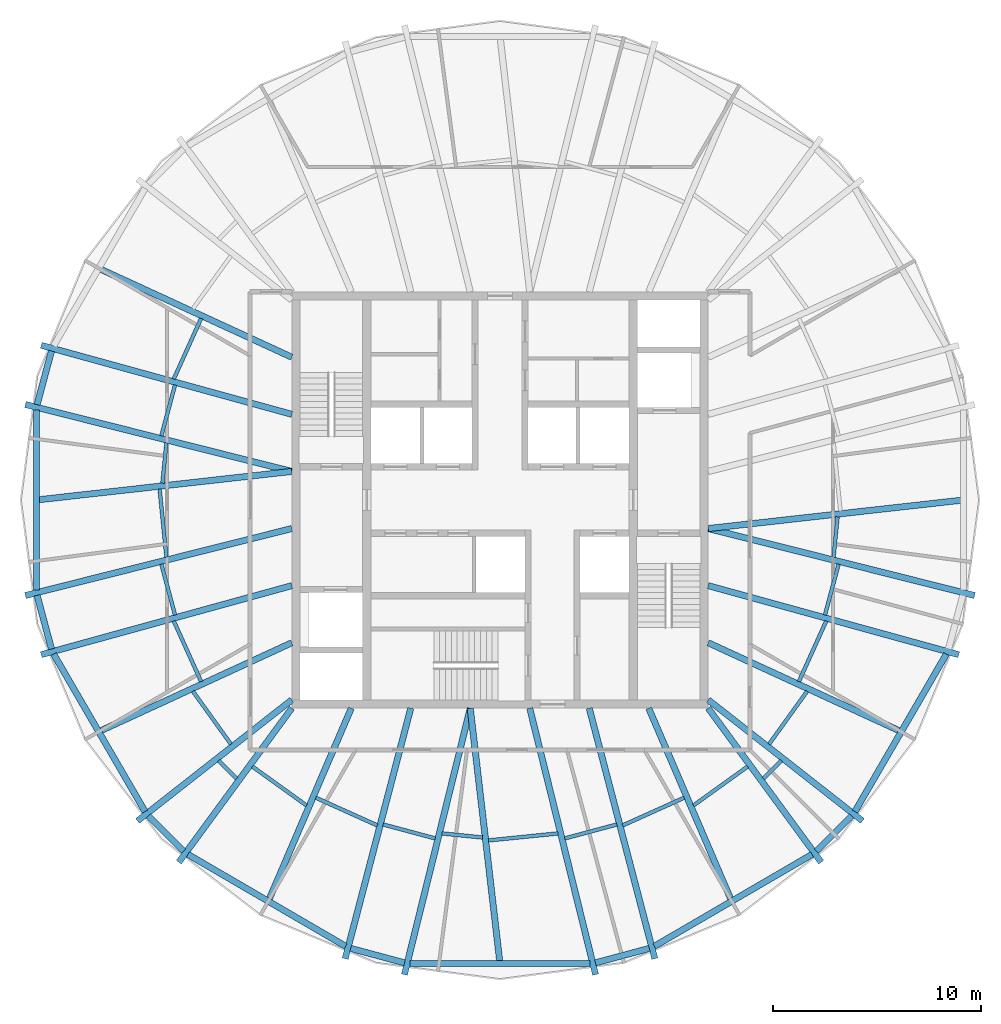
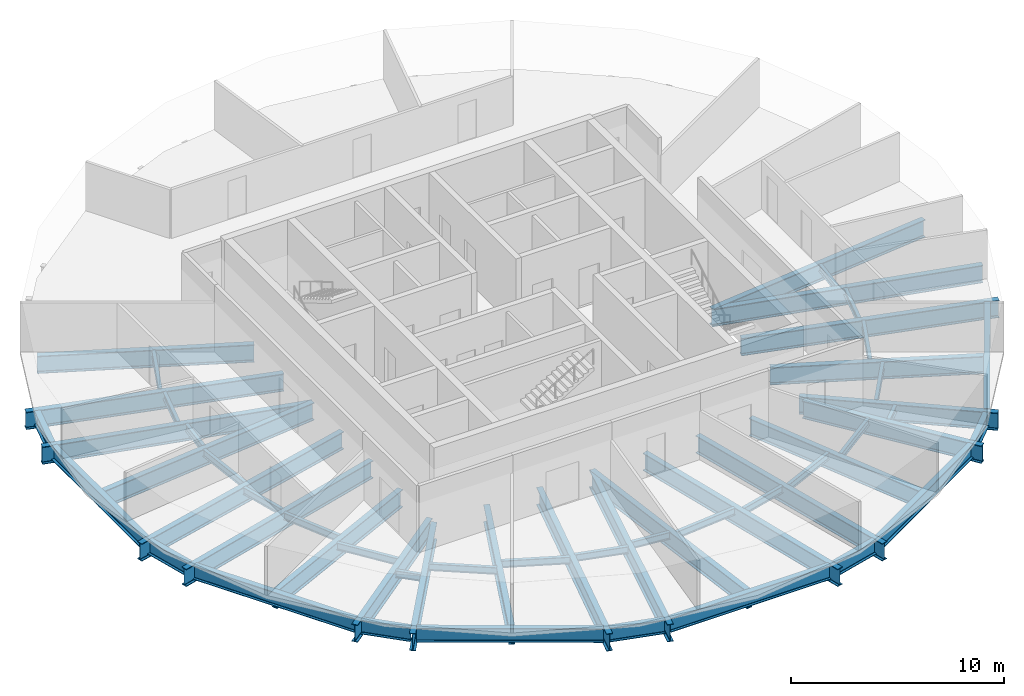
# One storey, part 1 of 6: 55 beams.
"""IFC4 building model written with IfcOpenShell, lengths in metres."""

from ifc_helpers import new_model, si_unit, direction, frame, origin, origin_2d, place, context, subcontext, project, spatial, i_section, extrude, material, material_profile, profile_set, type_object, element, save


model = new_model("IFC4")

# Units and contexts
model_context = context("Model", 3, precision=1e-05, world=origin(), true_north=direction((0.0, 1.0)))
body_context = subcontext(model_context, "Body", "Model", "MODEL_VIEW")
ifc_project = project(units=[si_unit("LENGTHUNIT", "METRE"), si_unit("AREAUNIT", "SQUARE_METRE"), si_unit("VOLUMEUNIT", "CUBIC_METRE"), si_unit("PLANEANGLEUNIT", "RADIAN"), si_unit("MASSUNIT", "GRAM", prefix="KILO")], contexts=[model_context])

# Site, building, storey
site_placement = place(None, origin())
site = spatial("IfcSite", under=ifc_project, at=site_placement, CompositionType="ELEMENT")
building_placement = place(site_placement, origin())
building = spatial("IfcBuilding", under=site, at=building_placement, Name="Golbaran Civic Tower", CompositionType="ELEMENT")
storey_placement = place(building_placement, frame((0.0, 0.0, 228.0)))
storey = spatial("IfcBuildingStorey", under=building, at=storey_placement, Name="L55", CompositionType="ELEMENT", Elevation=228.0)

# Beams
ifc_material = material(Name="Steel S355", Category="steel")
ifc_material_profile_1 = material_profile(ifc_material, i_section(OverallWidth=0.300048828125, OverallDepth=0.800048828125, WebThickness=0.017578125, FlangeThickness=0.032958984375, FilletRadius=0.030029296875, at=origin_2d()), Name="HEB 800")
ifc_profile_set_1 = profile_set([ifc_material_profile_1], Name="Steel S355")
beam_type_1 = type_object("IfcBeamType", Name="EDGE BEAM HEB 800", PredefinedType="BEAM", material=ifc_profile_set_1)
beam_1_placement = place(storey_placement, frame((-21.539794921875, 7.158203125, -0.60009765625), z_axis=(-0.259005792565, -0.965875768108, 0.0), x_axis=(0.965875768108, -0.259005792565, 0.0)))
element("IfcBeam", 1, at=beam_1_placement, inside=storey, type_object=beam_type_1, Name="Edge beam 161.44 L55", PredefinedType="BEAM", context=body_context, shape_type="SweptSolid", body=[
    extrude(i_section(OverallWidth=0.300048828125, OverallDepth=0.800048828125, WebThickness=0.017578125, FlangeThickness=0.032958984375, FilletRadius=0.030029296875, at=origin_2d()), origin(), (0.0, 0.0, 1.0), 2.66943359375),
])
beam_2_placement = place(storey_placement, frame((-22.264892578125, 4.3203125, -0.60009765625), z_axis=(0.0, -1.0, 0.0), x_axis=(1.0, 0.0, 0.0)))
element("IfcBeam", 2, at=beam_2_placement, inside=storey, type_object=beam_type_1, Name="Edge beam 168.56 L55", PredefinedType="BEAM", context=body_context, shape_type="SweptSolid", body=[
    extrude(i_section(OverallWidth=0.300048828125, OverallDepth=0.800048828125, WebThickness=0.017578125, FlangeThickness=0.032958984375, FilletRadius=0.030029296875, at=origin_2d()), origin(), (0.0, 0.0, 1.0), 8.640625),
])
beam_3_placement = place(storey_placement, frame((-22.231201171875, -4.579833984375, -0.60009765625), z_axis=(0.259005792565, -0.965875768108, 0.0), x_axis=(0.965875768108, 0.259005792565, 0.0)))
element("IfcBeam", 3, at=beam_3_placement, inside=storey, type_object=beam_type_1, Name="Edge beam 191.44 L55", PredefinedType="BEAM", context=body_context, shape_type="SweptSolid", body=[
    extrude(i_section(OverallWidth=0.300048828125, OverallDepth=0.800048828125, WebThickness=0.017578125, FlangeThickness=0.032958984375, FilletRadius=0.030029296875, at=origin_2d()), origin(), (0.0, 0.0, 1.0), 2.66943359375),
])
beam_4_placement = place(storey_placement, frame((-21.4384765625, -7.400146484375, -0.60009765625), z_axis=(0.502355039834, -0.864661444702, 0.0), x_axis=(0.864661444702, 0.502355039834, 0.0)))
element("IfcBeam", 4, at=beam_4_placement, inside=storey, type_object=beam_type_1, Name="Edge beam 198.56 L55", PredefinedType="BEAM", context=body_context, shape_type="SweptSolid", body=[
    extrude(i_section(OverallWidth=0.300048828125, OverallDepth=0.800048828125, WebThickness=0.017578125, FlangeThickness=0.032958984375, FilletRadius=0.030029296875, at=origin_2d()), origin(), (0.0, 0.0, 1.0), 8.745849609375),
])
beam_5_placement = place(storey_placement, frame((-16.886474609375, -15.16845703125, -0.60009765625), z_axis=(0.706545565348, -0.707667551953, 0.0), x_axis=(0.707667551953, 0.706545565348, 0.0)))
element("IfcBeam", 5, at=beam_5_placement, inside=storey, type_object=beam_type_1, Name="Edge beam 221.44 L55", PredefinedType="BEAM", context=body_context, shape_type="SweptSolid", body=[
    extrude(i_section(OverallWidth=0.300048828125, OverallDepth=0.800048828125, WebThickness=0.017578125, FlangeThickness=0.032958984375, FilletRadius=0.030029296875, at=origin_2d()), origin(), (0.0, 0.0, 1.0), 2.3935546875),
])
beam_6_placement = place(storey_placement, frame((-14.989501953125, -17.02099609375, -0.60009765625), z_axis=(0.864103943644, -0.503313395985, 0.0), x_axis=(0.503313395985, 0.864103943644, 0.0)))
element("IfcBeam", 6, at=beam_6_placement, inside=storey, type_object=beam_type_1, Name="Edge beam 228.56 L55", PredefinedType="BEAM", context=body_context, shape_type="SweptSolid", body=[
    extrude(i_section(OverallWidth=0.300048828125, OverallDepth=0.800048828125, WebThickness=0.017578125, FlangeThickness=0.032958984375, FilletRadius=0.030029296875, at=origin_2d()), origin(), (0.0, 0.0, 1.0), 8.76708984375),
])
beam_7_placement = place(storey_placement, frame((-7.171630859375, -21.535400390625, -0.60009765625), z_axis=(0.96578273304, -0.259352487095, 0.0), x_axis=(0.259352487095, 0.96578273304, 0.0)))
element("IfcBeam", 7, at=beam_7_placement, inside=storey, type_object=beam_type_1, Name="Edge beam 251.44 L55", PredefinedType="BEAM", context=body_context, shape_type="SweptSolid", body=[
    extrude(i_section(OverallWidth=0.300048828125, OverallDepth=0.800048828125, WebThickness=0.017578125, FlangeThickness=0.032958984375, FilletRadius=0.030029296875, at=origin_2d()), origin(), (0.0, 0.0, 1.0), 2.678955078125),
])
beam_8_placement = place(storey_placement, frame((-4.32470703125, -22.263916015625, -0.60009765625), z_axis=(1.0, 0.0, 0.0), x_axis=(0.0, 1.0, 0.0)))
element("IfcBeam", 8, at=beam_8_placement, inside=storey, type_object=beam_type_1, Name="Edge beam 258.56 L55", PredefinedType="BEAM", context=body_context, shape_type="SweptSolid", body=[
    extrude(i_section(OverallWidth=0.300048828125, OverallDepth=0.800048828125, WebThickness=0.017578125, FlangeThickness=0.032958984375, FilletRadius=0.030029296875, at=origin_2d()), origin(), (0.0, 0.0, 1.0), 8.6494140625),
])
beam_9_placement = place(storey_placement, frame((4.584228515625, -22.230224609375, -0.60009765625), z_axis=(0.96578273304, 0.259352487095, 0.0), x_axis=(-0.259352487095, 0.96578273304, 0.0)))
element("IfcBeam", 9, at=beam_9_placement, inside=storey, type_object=beam_type_1, Name="Edge beam 281.44 L55", PredefinedType="BEAM", context=body_context, shape_type="SweptSolid", body=[
    extrude(i_section(OverallWidth=0.300048828125, OverallDepth=0.800048828125, WebThickness=0.017578125, FlangeThickness=0.032958984375, FilletRadius=0.030029296875, at=origin_2d()), origin(), (0.0, 0.0, 1.0), 2.678955078125),
])
beam_10_placement = place(storey_placement, frame((7.413818359375, -21.43359375, -0.60009765625), z_axis=(0.864103943644, 0.503313395985, 0.0), x_axis=(-0.503313395985, 0.864103943644, 0.0)))
element("IfcBeam", 10, at=beam_10_placement, inside=storey, type_object=beam_type_1, Name="Edge beam 288.56 L55", PredefinedType="BEAM", context=body_context, shape_type="SweptSolid", body=[
    extrude(i_section(OverallWidth=0.300048828125, OverallDepth=0.800048828125, WebThickness=0.017578125, FlangeThickness=0.032958984375, FilletRadius=0.030029296875, at=origin_2d()), origin(), (0.0, 0.0, 1.0), 8.76708984375),
])
beam_11_placement = place(storey_placement, frame((15.1953125, -16.8623046875, -0.60009765625), z_axis=(0.706545565348, 0.707667551953, 0.0), x_axis=(-0.707667551953, 0.706545565348, 0.0)))
element("IfcBeam", 11, at=beam_11_placement, inside=storey, type_object=beam_type_1, Name="Edge beam 311.44 L55", PredefinedType="BEAM", context=body_context, shape_type="SweptSolid", body=[
    extrude(i_section(OverallWidth=0.300048828125, OverallDepth=0.800048828125, WebThickness=0.017578125, FlangeThickness=0.032958984375, FilletRadius=0.030029296875, at=origin_2d()), origin(), (0.0, 0.0, 1.0), 2.3935546875),
])
beam_12_placement = place(storey_placement, frame((17.044921875, -14.96240234375, -0.60009765625), z_axis=(0.502355039834, 0.864661444702, 0.0), x_axis=(-0.864661444702, 0.502355039834, 0.0)))
element("IfcBeam", 12, at=beam_12_placement, inside=storey, type_object=beam_type_1, Name="Edge beam 318.56 L55", PredefinedType="BEAM", context=body_context, shape_type="SweptSolid", body=[
    extrude(i_section(OverallWidth=0.300048828125, OverallDepth=0.800048828125, WebThickness=0.017578125, FlangeThickness=0.032958984375, FilletRadius=0.030029296875, at=origin_2d()), origin(), (0.0, 0.0, 1.0), 8.745849609375),
])
ifc_material_profile_2 = material_profile(ifc_material, i_section(OverallWidth=0.179931640625, OverallDepth=0.39990234375, WebThickness=0.008544921875, FlangeThickness=0.013427734375, FilletRadius=0.02099609375, at=origin_2d()), Name="IPE 400")
ifc_profile_set_2 = profile_set([ifc_material_profile_2], Name="Steel S355")
beam_type_2 = type_object("IfcBeamType", Name="FLOOR INFILL BEAM IPE 400", PredefinedType="BEAM", material=ifc_profile_set_2)
beam_13_placement = place(storey_placement, frame((-14.35546875, 8.7197265625, -0.39990234375), z_axis=(-0.411178800035, -0.911554712785, 0.0), x_axis=(0.911554712785, -0.411178800035, 0.0)))
element("IfcBeam", 13, at=beam_13_placement, inside=storey, type_object=beam_type_2, Name="Infill beam 155.72 L55", PredefinedType="BEAM", context=body_context, shape_type="SweptSolid", body=[
    extrude(i_section(OverallWidth=0.179931640625, OverallDepth=0.39990234375, WebThickness=0.008544921875, FlangeThickness=0.013427734375, FilletRadius=0.02099609375, at=origin_2d()), origin(), (0.0, 0.0, 1.0), 3.19140625),
])
beam_14_placement = place(storey_placement, frame((-15.60791015625, 5.524169921875, -0.39990234375), z_axis=(-0.258821271483, -0.965925229729, 0.0), x_axis=(0.965925229729, -0.258821271483, 0.0)))
element("IfcBeam", 14, at=beam_14_placement, inside=storey, type_object=beam_type_2, Name="Infill beam 165.00 L55", PredefinedType="BEAM", context=body_context, shape_type="SweptSolid", body=[
    extrude(i_section(OverallWidth=0.179931640625, OverallDepth=0.39990234375, WebThickness=0.008544921875, FlangeThickness=0.013427734375, FilletRadius=0.02099609375, at=origin_2d()), origin(), (0.0, 0.0, 1.0), 2.53076171875),
])
beam_15_placement = place(storey_placement, frame((-16.018798828125, 2.750244140625, -0.39990234375), z_axis=(-0.099652273421, -0.99502232357, 0.0), x_axis=(0.99502232357, -0.099652273421, 0.0)))
element("IfcBeam", 15, at=beam_15_placement, inside=storey, type_object=beam_type_2, Name="Infill beam 174.28 L55", PredefinedType="BEAM", context=body_context, shape_type="SweptSolid", body=[
    extrude(i_section(OverallWidth=0.179931640625, OverallDepth=0.39990234375, WebThickness=0.008544921875, FlangeThickness=0.013427734375, FilletRadius=0.02099609375, at=origin_2d()), origin(), (0.0, 0.0, 1.0), 1.95263671875),
])
beam_16_placement = place(storey_placement, frame((-16.34765625, 0.53076171875, -0.39990234375), z_axis=(0.099730965828, -0.99501443932, 0.0), x_axis=(0.99501443932, 0.099730965828, 0.0)))
element("IfcBeam", 16, at=beam_16_placement, inside=storey, type_object=beam_type_2, Name="Infill beam 185.72 L55", PredefinedType="BEAM", context=body_context, shape_type="SweptSolid", body=[
    extrude(i_section(OverallWidth=0.179931640625, OverallDepth=0.39990234375, WebThickness=0.008544921875, FlangeThickness=0.013427734375, FilletRadius=0.02099609375, at=origin_2d()), origin(), (0.0, 0.0, 1.0), 3.29736328125),
])
beam_17_placement = place(storey_placement, frame((-16.262939453125, -3.07958984375, -0.39990234375), z_axis=(0.258821271483, -0.965925229729, 0.0), x_axis=(0.965925229729, 0.258821271483, 0.0)))
element("IfcBeam", 17, at=beam_17_placement, inside=storey, type_object=beam_type_2, Name="Infill beam 195.00 L55", PredefinedType="BEAM", context=body_context, shape_type="SweptSolid", body=[
    extrude(i_section(OverallWidth=0.179931640625, OverallDepth=0.39990234375, WebThickness=0.008544921875, FlangeThickness=0.013427734375, FilletRadius=0.02099609375, at=origin_2d()), origin(), (0.0, 0.0, 1.0), 2.53076171875),
])
beam_18_placement = place(storey_placement, frame((-15.667724609375, -5.810546875, -0.39990234375), z_axis=(0.411178800035, -0.911554712785, 0.0), x_axis=(0.911554712785, 0.411178800035, 0.0)))
element("IfcBeam", 18, at=beam_18_placement, inside=storey, type_object=beam_type_2, Name="Infill beam 204.28 L55", PredefinedType="BEAM", context=body_context, shape_type="SweptSolid", body=[
    extrude(i_section(OverallWidth=0.179931640625, OverallDepth=0.39990234375, WebThickness=0.008544921875, FlangeThickness=0.013427734375, FilletRadius=0.02099609375, at=origin_2d()), origin(), (0.0, 0.0, 1.0), 3.19140625),
])
beam_19_placement = place(storey_placement, frame((-14.74951171875, -9.187255859375, -0.39990234375), z_axis=(0.583825732526, -0.811879002094, 0.0), x_axis=(0.811879002094, 0.583825732526, 0.0)))
element("IfcBeam", 19, at=beam_19_placement, inside=storey, type_object=beam_type_2, Name="Infill beam 215.72 L55", PredefinedType="BEAM", context=body_context, shape_type="SweptSolid", body=[
    extrude(i_section(OverallWidth=0.179931640625, OverallDepth=0.39990234375, WebThickness=0.008544921875, FlangeThickness=0.013427734375, FilletRadius=0.02099609375, at=origin_2d()), origin(), (0.0, 0.0, 1.0), 3.129150390625),
])
beam_20_placement = place(storey_placement, frame((-13.50927734375, -12.518798828125, -0.39990234375), z_axis=(0.707106781187, -0.707106781187, 0.0), x_axis=(0.707106781187, 0.707106781187, 0.0)))
element("IfcBeam", 20, at=beam_20_placement, inside=storey, type_object=beam_type_2, Name="Infill beam 225.00 L55", PredefinedType="BEAM", context=body_context, shape_type="SweptSolid", body=[
    extrude(i_section(OverallWidth=0.179931640625, OverallDepth=0.39990234375, WebThickness=0.008544921875, FlangeThickness=0.013427734375, FilletRadius=0.02099609375, at=origin_2d()), origin(), (0.0, 0.0, 1.0), 1.223876953125),
])
beam_21_placement = place(storey_placement, frame((-11.893310546875, -12.80078125, -0.39990234375), z_axis=(0.811896883741, -0.583800865169, 0.0), x_axis=(0.583800865169, 0.811896883741, 0.0)))
element("IfcBeam", 21, at=beam_21_placement, inside=storey, type_object=beam_type_2, Name="Infill beam 234.28 L55", PredefinedType="BEAM", context=body_context, shape_type="SweptSolid", body=[
    extrude(i_section(OverallWidth=0.179931640625, OverallDepth=0.39990234375, WebThickness=0.008544921875, FlangeThickness=0.013427734375, FilletRadius=0.02099609375, at=origin_2d()), origin(), (0.0, 0.0, 1.0), 3.20458984375),
])
beam_22_placement = place(storey_placement, frame((-8.847900390625, -14.2978515625, -0.39990234375), z_axis=(0.911557409857, -0.411172820763, 0.0), x_axis=(0.411172820763, 0.911557409857, 0.0)))
element("IfcBeam", 22, at=beam_22_placement, inside=storey, type_object=beam_type_2, Name="Infill beam 245.72 L55", PredefinedType="BEAM", context=body_context, shape_type="SweptSolid", body=[
    extrude(i_section(OverallWidth=0.179931640625, OverallDepth=0.39990234375, WebThickness=0.008544921875, FlangeThickness=0.013427734375, FilletRadius=0.02099609375, at=origin_2d()), origin(), (0.0, 0.0, 1.0), 3.240234375),
])
beam_23_placement = place(storey_placement, frame((-5.61328125, -15.583740234375, -0.39990234375), z_axis=(0.965918639714, -0.258845864277, 0.0), x_axis=(0.258845864277, 0.965918639714, 0.0)))
element("IfcBeam", 23, at=beam_23_placement, inside=storey, type_object=beam_type_2, Name="Infill beam 255.00 L55", PredefinedType="BEAM", context=body_context, shape_type="SweptSolid", body=[
    extrude(i_section(OverallWidth=0.179931640625, OverallDepth=0.39990234375, WebThickness=0.008544921875, FlangeThickness=0.013427734375, FilletRadius=0.02099609375, at=origin_2d()), origin(), (0.0, 0.0, 1.0), 2.59375),
])
beam_24_placement = place(storey_placement, frame((-2.78076171875, -16.015380859375, -0.39990234375), z_axis=(0.995018619863, -0.09968924779, 0.0), x_axis=(0.09968924779, 0.995018619863, 0.0)))
element("IfcBeam", 24, at=beam_24_placement, inside=storey, type_object=beam_type_2, Name="Infill beam 264.28 L55", PredefinedType="BEAM", context=body_context, shape_type="SweptSolid", body=[
    extrude(i_section(OverallWidth=0.179931640625, OverallDepth=0.39990234375, WebThickness=0.008544921875, FlangeThickness=0.013427734375, FilletRadius=0.02099609375, at=origin_2d()), origin(), (0.0, 0.0, 1.0), 1.954345703125),
])
beam_25_placement = place(storey_placement, frame((-0.55810546875, -16.349853515625, -0.39990234375), z_axis=(0.995019886483, 0.099676604598, 0.0), x_axis=(-0.099676604598, 0.995019886483, 0.0)))
element("IfcBeam", 25, at=beam_25_placement, inside=storey, type_object=beam_type_2, Name="Infill beam 275.72 L55", PredefinedType="BEAM", context=body_context, shape_type="SweptSolid", body=[
    extrude(i_section(OverallWidth=0.179931640625, OverallDepth=0.39990234375, WebThickness=0.008544921875, FlangeThickness=0.013427734375, FilletRadius=0.02099609375, at=origin_2d()), origin(), (0.0, 0.0, 1.0), 3.35546875),
])
beam_26_placement = place(storey_placement, frame((3.10791015625, -16.255126953125, -0.39990234375), z_axis=(0.965918639714, 0.258845864277, 0.0), x_axis=(-0.258845864277, 0.965918639714, 0.0)))
element("IfcBeam", 26, at=beam_26_placement, inside=storey, type_object=beam_type_2, Name="Infill beam 285.00 L55", PredefinedType="BEAM", context=body_context, shape_type="SweptSolid", body=[
    extrude(i_section(OverallWidth=0.179931640625, OverallDepth=0.39990234375, WebThickness=0.008544921875, FlangeThickness=0.013427734375, FilletRadius=0.02099609375, at=origin_2d()), origin(), (0.0, 0.0, 1.0), 2.59375),
])
beam_27_placement = place(storey_placement, frame((5.894287109375, -15.630126953125, -0.39990234375), z_axis=(0.911557409857, 0.411172820763, 0.0), x_axis=(-0.411172820763, 0.911557409857, 0.0)))
element("IfcBeam", 27, at=beam_27_placement, inside=storey, type_object=beam_type_2, Name="Infill beam 294.28 L55", PredefinedType="BEAM", context=body_context, shape_type="SweptSolid", body=[
    extrude(i_section(OverallWidth=0.179931640625, OverallDepth=0.39990234375, WebThickness=0.008544921875, FlangeThickness=0.013427734375, FilletRadius=0.02099609375, at=origin_2d()), origin(), (0.0, 0.0, 1.0), 3.240234375),
])
beam_28_placement = place(storey_placement, frame((9.29150390625, -14.671630859375, -0.39990234375), z_axis=(0.811896883741, 0.583800865169, 0.0), x_axis=(-0.583800865169, 0.811896883741, 0.0)))
element("IfcBeam", 28, at=beam_28_placement, inside=storey, type_object=beam_type_2, Name="Infill beam 305.72 L55", PredefinedType="BEAM", context=body_context, shape_type="SweptSolid", body=[
    extrude(i_section(OverallWidth=0.179931640625, OverallDepth=0.39990234375, WebThickness=0.008544921875, FlangeThickness=0.013427734375, FilletRadius=0.02099609375, at=origin_2d()), origin(), (0.0, 0.0, 1.0), 3.20458984375),
])
beam_29_placement = place(storey_placement, frame((12.643798828125, -13.38427734375, -0.39990234375), z_axis=(0.707106781187, 0.707106781187, 0.0), x_axis=(-0.707106781187, 0.707106781187, 0.0)))
element("IfcBeam", 29, at=beam_29_placement, inside=storey, type_object=beam_type_2, Name="Infill beam 315.00 L55", PredefinedType="BEAM", context=body_context, shape_type="SweptSolid", body=[
    extrude(i_section(OverallWidth=0.179931640625, OverallDepth=0.39990234375, WebThickness=0.008544921875, FlangeThickness=0.013427734375, FilletRadius=0.02099609375, at=origin_2d()), origin(), (0.0, 0.0, 1.0), 1.223876953125),
])
beam_30_placement = place(storey_placement, frame((12.922607421875, -11.727783203125, -0.39990234375), z_axis=(0.583825732526, 0.811879002094, 0.0), x_axis=(-0.811879002094, 0.583825732526, 0.0)))
element("IfcBeam", 30, at=beam_30_placement, inside=storey, type_object=beam_type_2, Name="Infill beam 324.28 L55", PredefinedType="BEAM", context=body_context, shape_type="SweptSolid", body=[
    extrude(i_section(OverallWidth=0.179931640625, OverallDepth=0.39990234375, WebThickness=0.008544921875, FlangeThickness=0.013427734375, FilletRadius=0.02099609375, at=origin_2d()), origin(), (0.0, 0.0, 1.0), 3.129150390625),
])
beam_31_placement = place(storey_placement, frame((14.35546875, -8.7197265625, -0.39990234375), z_axis=(0.411178800035, 0.911554712785, 0.0), x_axis=(-0.911554712785, 0.411178800035, 0.0)))
element("IfcBeam", 31, at=beam_31_placement, inside=storey, type_object=beam_type_2, Name="Infill beam 335.72 L55", PredefinedType="BEAM", context=body_context, shape_type="SweptSolid", body=[
    extrude(i_section(OverallWidth=0.179931640625, OverallDepth=0.39990234375, WebThickness=0.008544921875, FlangeThickness=0.013427734375, FilletRadius=0.02099609375, at=origin_2d()), origin(), (0.0, 0.0, 1.0), 3.19140625),
])
beam_32_placement = place(storey_placement, frame((15.60791015625, -5.524169921875, -0.39990234375), z_axis=(0.258821271483, 0.965925229729, 0.0), x_axis=(-0.965925229729, 0.258821271483, 0.0)))
element("IfcBeam", 32, at=beam_32_placement, inside=storey, type_object=beam_type_2, Name="Infill beam 345.00 L55", PredefinedType="BEAM", context=body_context, shape_type="SweptSolid", body=[
    extrude(i_section(OverallWidth=0.179931640625, OverallDepth=0.39990234375, WebThickness=0.008544921875, FlangeThickness=0.013427734375, FilletRadius=0.02099609375, at=origin_2d()), origin(), (0.0, 0.0, 1.0), 2.53076171875),
])
beam_33_placement = place(storey_placement, frame((16.018798828125, -2.750244140625, -0.39990234375), z_axis=(0.099652273421, 0.99502232357, 0.0), x_axis=(-0.99502232357, 0.099652273421, 0.0)))
element("IfcBeam", 33, at=beam_33_placement, inside=storey, type_object=beam_type_2, Name="Infill beam 354.28 L55", PredefinedType="BEAM", context=body_context, shape_type="SweptSolid", body=[
    extrude(i_section(OverallWidth=0.179931640625, OverallDepth=0.39990234375, WebThickness=0.008544921875, FlangeThickness=0.013427734375, FilletRadius=0.02099609375, at=origin_2d()), origin(), (0.0, 0.0, 1.0), 1.95263671875),
])
ifc_material_profile_3 = material_profile(ifc_material, i_section(OverallWidth=0.300048828125, OverallDepth=1.0, WebThickness=0.01904296875, FlangeThickness=0.035888671875, FilletRadius=0.030029296875, at=origin_2d()), Name="HEB 1000")
ifc_profile_set_3 = profile_set([ifc_material_profile_3], Name="Steel S355")
beam_type_3 = type_object("IfcBeamType", Name="RADIAL FLOOR BEAM HEB 1000", PredefinedType="BEAM", material=ifc_profile_set_3)
beam_34_placement = place(storey_placement, frame((-10.0, 4.1142578125, -0.7099609375), z_axis=(-0.964089393135, 0.265577939679, 0.0), x_axis=(-0.265577939679, -0.964089393135, 0.0)))
element("IfcBeam", 34, at=beam_34_placement, inside=storey, type_object=beam_type_3, Name="Radial beam 161.44 L55", PredefinedType="BEAM", context=body_context, shape_type="SweptSolid", body=[
    extrude(i_section(OverallWidth=0.300048828125, OverallDepth=1.0, WebThickness=0.01904296875, FlangeThickness=0.035888671875, FilletRadius=0.030029296875, at=origin_2d()), origin(), (0.0, 0.0, 1.0), 12.480224609375),
])
for number, where, z_axis, x_axis, name in (
    (35, (-10.0, 1.371337890625, -0.7099609375), (-0.969831438988, 0.243776495894, 0.0), (-0.243776495894, -0.969831438988, 0.0), "Radial beam 168.56 L55"),
    (36, (-10.0, -1.371337890625, -0.7099609375), (-0.969831438988, -0.243776495894, 0.0), (0.243776495894, -0.969831438988, 0.0), "Radial beam 191.44 L55"),
):
    element("IfcBeam", number, at=place(storey_placement, frame(where, z_axis=z_axis, x_axis=x_axis)), inside=storey, type_object=beam_type_3, Name=name, PredefinedType="BEAM", context=body_context, shape_type="SweptSolid", body=[
        extrude(i_section(OverallWidth=0.300048828125, OverallDepth=1.0, WebThickness=0.01904296875, FlangeThickness=0.035888671875, FilletRadius=0.030029296875, at=origin_2d()), origin(), (0.0, 0.0, 1.0), 13.191650390625),
    ])
beam_35_placement = place(storey_placement, frame((-10.0, -4.1142578125, -0.7099609375), z_axis=(-0.964089393135, -0.265577939679, 0.0), x_axis=(0.265577939679, -0.964089393135, 0.0)))
element("IfcBeam", 37, at=beam_35_placement, inside=storey, type_object=beam_type_3, Name="Radial beam 198.56 L55", PredefinedType="BEAM", context=body_context, shape_type="SweptSolid", body=[
    extrude(i_section(OverallWidth=0.300048828125, OverallDepth=1.0, WebThickness=0.01904296875, FlangeThickness=0.035888671875, FilletRadius=0.030029296875, at=origin_2d()), origin(), (0.0, 0.0, 1.0), 12.480224609375),
])
beam_36_placement = place(storey_placement, frame((-10.0, -9.60009765625, -0.7099609375), z_axis=(-0.786740095164, -0.617284393665, 0.0), x_axis=(0.617284393665, -0.786740095164, 0.0)))
element("IfcBeam", 38, at=beam_36_placement, inside=storey, type_object=beam_type_3, Name="Radial beam 221.44 L55", PredefinedType="BEAM", context=body_context, shape_type="SweptSolid", body=[
    extrude(i_section(OverallWidth=0.300048828125, OverallDepth=1.0, WebThickness=0.01904296875, FlangeThickness=0.035888671875, FilletRadius=0.030029296875, at=origin_2d()), origin(), (0.0, 0.0, 1.0), 9.416748046875),
])
beam_37_placement = place(storey_placement, frame((-10.0, -10.0, -0.7099609375), z_axis=(-0.591505566038, -0.806300914886, 0.0), x_axis=(0.806300914886, -0.591505566038, 0.0)))
element("IfcBeam", 39, at=beam_37_placement, inside=storey, type_object=beam_type_3, Name="Radial beam 228.56 L55", PredefinedType="BEAM", context=body_context, shape_type="SweptSolid", body=[
    extrude(i_section(OverallWidth=0.300048828125, OverallDepth=1.0, WebThickness=0.01904296875, FlangeThickness=0.035888671875, FilletRadius=0.030029296875, at=origin_2d()), origin(), (0.0, 0.0, 1.0), 9.173583984375),
])
beam_38_placement = place(storey_placement, frame((-4.28564453125, -10.0, -0.7099609375), z_axis=(-0.253288961327, -0.967390666727, 0.0), x_axis=(0.967390666727, -0.253288961327, 0.0)))
element("IfcBeam", 40, at=beam_38_placement, inside=storey, type_object=beam_type_3, Name="Radial beam 251.44 L55", PredefinedType="BEAM", context=body_context, shape_type="SweptSolid", body=[
    extrude(i_section(OverallWidth=0.300048828125, OverallDepth=1.0, WebThickness=0.01904296875, FlangeThickness=0.035888671875, FilletRadius=0.030029296875, at=origin_2d()), origin(), (0.0, 0.0, 1.0), 12.43505859375),
])
for number, where, z_axis, x_axis, name in (
    (41, (-1.428466796875, -10.0, -0.7099609375), (-0.239862530547, -0.970806863614, 0.0), (0.970806863614, -0.239862530547, 0.0), "Radial beam 258.56 L55"),
    (42, (1.428466796875, -10.0, -0.7099609375), (0.239862530547, -0.970806863614, 0.0), (0.970806863614, 0.239862530547, 0.0), "Radial beam 281.44 L55"),
):
    element("IfcBeam", number, at=place(storey_placement, frame(where, z_axis=z_axis, x_axis=x_axis)), inside=storey, type_object=beam_type_3, Name=name, PredefinedType="BEAM", context=body_context, shape_type="SweptSolid", body=[
        extrude(i_section(OverallWidth=0.300048828125, OverallDepth=1.0, WebThickness=0.01904296875, FlangeThickness=0.035888671875, FilletRadius=0.030029296875, at=origin_2d()), origin(), (0.0, 0.0, 1.0), 13.177978515625),
    ])
beam_39_placement = place(storey_placement, frame((4.28564453125, -10.0, -0.7099609375), z_axis=(0.253288961327, -0.967390666727, 0.0), x_axis=(0.967390666727, 0.253288961327, 0.0)))
element("IfcBeam", 43, at=beam_39_placement, inside=storey, type_object=beam_type_3, Name="Radial beam 288.56 L55", PredefinedType="BEAM", context=body_context, shape_type="SweptSolid", body=[
    extrude(i_section(OverallWidth=0.300048828125, OverallDepth=1.0, WebThickness=0.01904296875, FlangeThickness=0.035888671875, FilletRadius=0.030029296875, at=origin_2d()), origin(), (0.0, 0.0, 1.0), 12.43505859375),
])
beam_40_placement = place(storey_placement, frame((10.0, -10.0, -0.7099609375), z_axis=(0.591505566038, -0.806300914886, 0.0), x_axis=(0.806300914886, 0.591505566038, 0.0)))
element("IfcBeam", 44, at=beam_40_placement, inside=storey, type_object=beam_type_3, Name="Radial beam 311.44 L55", PredefinedType="BEAM", context=body_context, shape_type="SweptSolid", body=[
    extrude(i_section(OverallWidth=0.300048828125, OverallDepth=1.0, WebThickness=0.01904296875, FlangeThickness=0.035888671875, FilletRadius=0.030029296875, at=origin_2d()), origin(), (0.0, 0.0, 1.0), 9.173583984375),
])
beam_41_placement = place(storey_placement, frame((10.0, -9.60009765625, -0.7099609375), z_axis=(0.786740095164, -0.617284393665, 0.0), x_axis=(0.617284393665, 0.786740095164, 0.0)))
element("IfcBeam", 45, at=beam_41_placement, inside=storey, type_object=beam_type_3, Name="Radial beam 318.56 L55", PredefinedType="BEAM", context=body_context, shape_type="SweptSolid", body=[
    extrude(i_section(OverallWidth=0.300048828125, OverallDepth=1.0, WebThickness=0.01904296875, FlangeThickness=0.035888671875, FilletRadius=0.030029296875, at=origin_2d()), origin(), (0.0, 0.0, 1.0), 9.416748046875),
])
beam_42_placement = place(storey_placement, frame((10.0, -4.1142578125, -0.7099609375), z_axis=(0.964089393135, -0.265577939679, 0.0), x_axis=(0.265577939679, 0.964089393135, 0.0)))
element("IfcBeam", 46, at=beam_42_placement, inside=storey, type_object=beam_type_3, Name="Radial beam 341.44 L55", PredefinedType="BEAM", context=body_context, shape_type="SweptSolid", body=[
    extrude(i_section(OverallWidth=0.300048828125, OverallDepth=1.0, WebThickness=0.01904296875, FlangeThickness=0.035888671875, FilletRadius=0.030029296875, at=origin_2d()), origin(), (0.0, 0.0, 1.0), 12.480224609375),
])
beam_43_placement = place(storey_placement, frame((10.0, -1.371337890625, -0.7099609375), z_axis=(0.969831438988, -0.243776495894, 0.0), x_axis=(0.243776495894, 0.969831438988, 0.0)))
element("IfcBeam", 47, at=beam_43_placement, inside=storey, type_object=beam_type_3, Name="Radial beam 348.56 L55", PredefinedType="BEAM", context=body_context, shape_type="SweptSolid", body=[
    extrude(i_section(OverallWidth=0.300048828125, OverallDepth=1.0, WebThickness=0.01904296875, FlangeThickness=0.035888671875, FilletRadius=0.030029296875, at=origin_2d()), origin(), (0.0, 0.0, 1.0), 13.191650390625),
])
ifc_material_profile_4 = material_profile(ifc_material, i_section(OverallWidth=0.300048828125, OverallDepth=1.0, WebThickness=0.01904296875, FlangeThickness=0.035888671875, FilletRadius=0.030029296875, at=origin_2d()), Name="HEB 1000")
ifc_profile_set_4 = profile_set([ifc_material_profile_4], Name="Steel S355")
beam_type_4 = type_object("IfcBeamType", Name="SECONDARY FLOOR BEAM HEB 1000", PredefinedType="BEAM", material=ifc_profile_set_4)
beam_44_placement = place(storey_placement, frame((10.0, -1.371337890625, -0.7099609375), z_axis=(0.993807263326, 0.111117610488, 0.0), x_axis=(-0.111117610488, 0.993807263326, 0.0)))
element("IfcBeam", 48, at=beam_44_placement, inside=storey, type_object=beam_type_4, Name="Secondary beam 0.00 L55", PredefinedType="BEAM", context=body_context, shape_type="SweptSolid", body=[
    extrude(i_section(OverallWidth=0.300048828125, OverallDepth=1.0, WebThickness=0.01904296875, FlangeThickness=0.035888671875, FilletRadius=0.030029296875, at=origin_2d()), origin(), (0.0, 0.0, 1.0), 12.34130859375),
])
beam_45_placement = place(storey_placement, frame((-10.0, 6.857177734375, -0.7099609375), z_axis=(-0.90832440785, 0.418266386533, 0.0), x_axis=(-0.418266386533, -0.90832440785, 0.0)))
element("IfcBeam", 49, at=beam_45_placement, inside=storey, type_object=beam_type_4, Name="Secondary beam 150.00 L55", PredefinedType="BEAM", context=body_context, shape_type="SweptSolid", body=[
    extrude(i_section(OverallWidth=0.300048828125, OverallDepth=1.0, WebThickness=0.01904296875, FlangeThickness=0.035888671875, FilletRadius=0.030029296875, at=origin_2d()), origin(), (0.0, 0.0, 1.0), 10.208740234375),
])
beam_46_placement = place(storey_placement, frame((-10.0, 1.371337890625, -0.7099609375), z_axis=(-0.993807263326, -0.111117610488, 0.0), x_axis=(0.111117610488, -0.993807263326, 0.0)))
element("IfcBeam", 50, at=beam_46_placement, inside=storey, type_object=beam_type_4, Name="Secondary beam 180.00 L55", PredefinedType="BEAM", context=body_context, shape_type="SweptSolid", body=[
    extrude(i_section(OverallWidth=0.300048828125, OverallDepth=1.0, WebThickness=0.01904296875, FlangeThickness=0.035888671875, FilletRadius=0.030029296875, at=origin_2d()), origin(), (0.0, 0.0, 1.0), 12.34130859375),
])
beam_47_placement = place(storey_placement, frame((-10.0, -6.857177734375, -0.7099609375), z_axis=(-0.90832440785, -0.418266386533, 0.0), x_axis=(0.418266386533, -0.90832440785, 0.0)))
element("IfcBeam", 51, at=beam_47_placement, inside=storey, type_object=beam_type_4, Name="Secondary beam 210.00 L55", PredefinedType="BEAM", context=body_context, shape_type="SweptSolid", body=[
    extrude(i_section(OverallWidth=0.300048828125, OverallDepth=1.0, WebThickness=0.01904296875, FlangeThickness=0.035888671875, FilletRadius=0.030029296875, at=origin_2d()), origin(), (0.0, 0.0, 1.0), 10.208740234375),
])
beam_48_placement = place(storey_placement, frame((-7.142822265625, -10.0, -0.7099609375), z_axis=(-0.39475718167, -0.91878548504, 0.0), x_axis=(0.91878548504, -0.39475718167, 0.0)))
element("IfcBeam", 52, at=beam_48_placement, inside=storey, type_object=beam_type_4, Name="Secondary beam 240.00 L55", PredefinedType="BEAM", context=body_context, shape_type="SweptSolid", body=[
    extrude(i_section(OverallWidth=0.300048828125, OverallDepth=1.0, WebThickness=0.01904296875, FlangeThickness=0.035888671875, FilletRadius=0.030029296875, at=origin_2d()), origin(), (0.0, 0.0, 1.0), 10.0908203125),
])
beam_49_placement = place(storey_placement, frame((-1.428466796875, -10.0, -0.7099609375), z_axis=(0.115695046165, -0.993284781064, 0.0), x_axis=(0.993284781064, 0.115695046165, 0.0)))
element("IfcBeam", 53, at=beam_49_placement, inside=storey, type_object=beam_type_4, Name="Secondary beam 270.00 L55", PredefinedType="BEAM", context=body_context, shape_type="SweptSolid", body=[
    extrude(i_section(OverallWidth=0.300048828125, OverallDepth=1.0, WebThickness=0.01904296875, FlangeThickness=0.035888671875, FilletRadius=0.030029296875, at=origin_2d()), origin(), (0.0, 0.0, 1.0), 12.346923828125),
])
beam_50_placement = place(storey_placement, frame((7.142822265625, -10.0, -0.7099609375), z_axis=(0.39475718167, -0.91878548504, 0.0), x_axis=(0.91878548504, 0.39475718167, 0.0)))
element("IfcBeam", 54, at=beam_50_placement, inside=storey, type_object=beam_type_4, Name="Secondary beam 300.00 L55", PredefinedType="BEAM", context=body_context, shape_type="SweptSolid", body=[
    extrude(i_section(OverallWidth=0.300048828125, OverallDepth=1.0, WebThickness=0.01904296875, FlangeThickness=0.035888671875, FilletRadius=0.030029296875, at=origin_2d()), origin(), (0.0, 0.0, 1.0), 10.0908203125),
])
beam_51_placement = place(storey_placement, frame((10.0, -6.857177734375, -0.7099609375), z_axis=(0.90832440785, -0.418266386533, 0.0), x_axis=(0.418266386533, 0.90832440785, 0.0)))
element("IfcBeam", 55, at=beam_51_placement, inside=storey, type_object=beam_type_4, Name="Secondary beam 330.00 L55", PredefinedType="BEAM", context=body_context, shape_type="SweptSolid", body=[
    extrude(i_section(OverallWidth=0.300048828125, OverallDepth=1.0, WebThickness=0.01904296875, FlangeThickness=0.035888671875, FilletRadius=0.030029296875, at=origin_2d()), origin(), (0.0, 0.0, 1.0), 10.208740234375),
])

save(model, "model.ifc")
